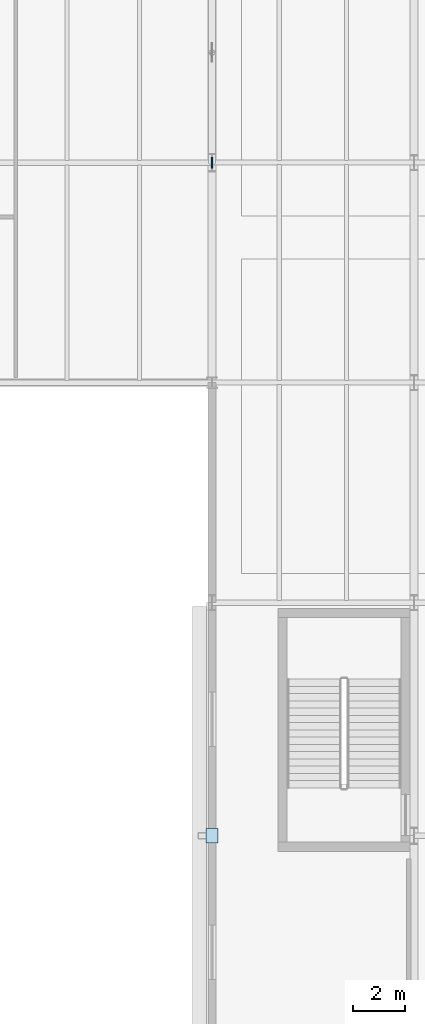
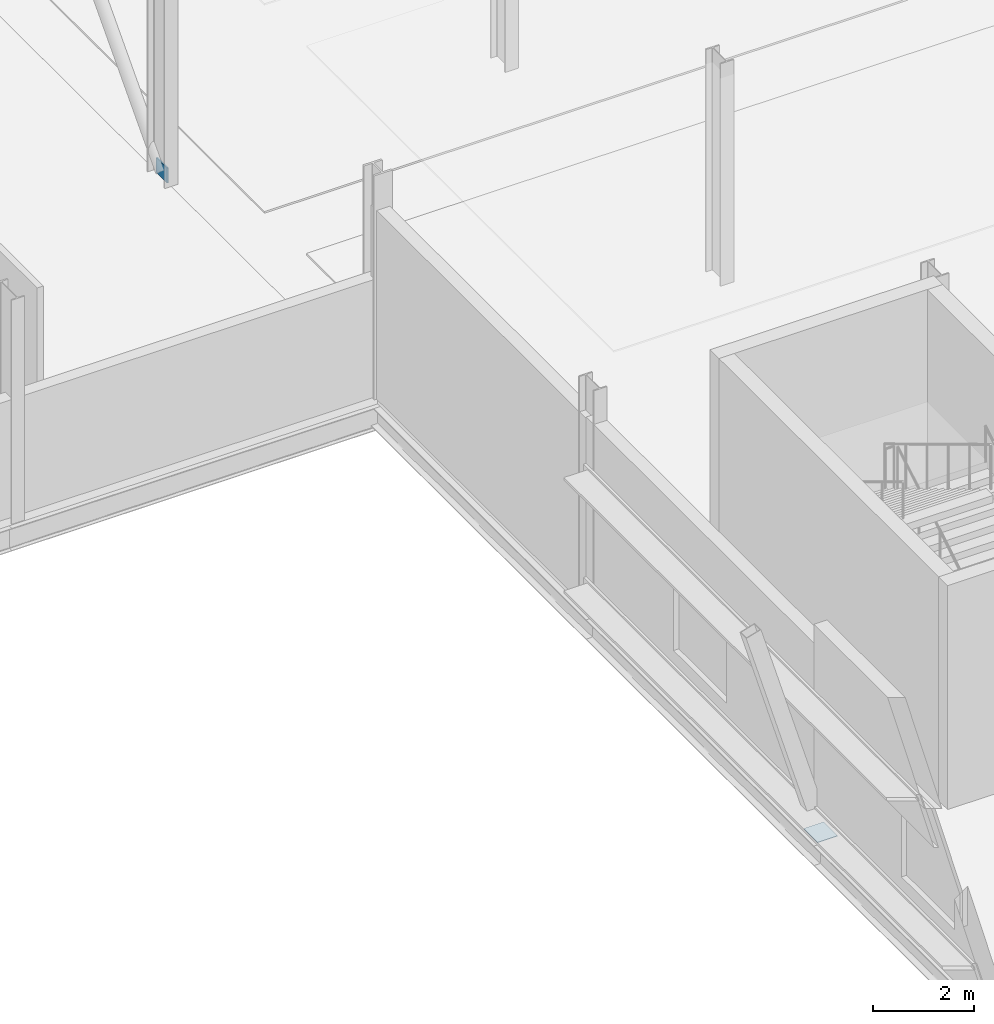
# One storey, part 46 of 78: 2 plates.
"""IFC4 building model written with IfcOpenShell, lengths in metres."""

from ifc_helpers import new_model, si_unit, direction, frame, origin, origin_2d, place, context, subcontext, project, spatial, rectangle, extrude, material, layer, layer_set, type_object, element, save


model = new_model("IFC4")

# Units and contexts
model_context = context("Model", 3, precision=1e-05, world=origin(), true_north=direction((0.0, 1.0)))
body_context = subcontext(model_context, "Body", "Model", "MODEL_VIEW")
ifc_project = project(units=[si_unit("LENGTHUNIT", "METRE"), si_unit("AREAUNIT", "SQUARE_METRE"), si_unit("VOLUMEUNIT", "CUBIC_METRE"), si_unit("PLANEANGLEUNIT", "RADIAN"), si_unit("MASSUNIT", "GRAM", prefix="KILO")], contexts=[model_context])

# Site, building, storey
site_placement = place(None, origin())
site = spatial("IfcSite", under=ifc_project, at=site_placement, CompositionType="ELEMENT")
building_placement = place(site_placement, origin())
building = spatial("IfcBuilding", under=site, at=building_placement, Name="Sefraquen Railside Congress Hotel", CompositionType="ELEMENT")
storey_placement = place(building_placement, frame((0.0, 0.0, 6.0)))
storey = spatial("IfcBuildingStorey", under=building, at=storey_placement, Name="L01", CompositionType="ELEMENT", Elevation=6.0)

# Plates
ifc_material = material(Name="Steel S355J2", Category="steel")
ifc_layer_1 = layer(ifc_material, 0.050048828125)
ifc_layer_set_1 = layer_set([ifc_layer_1], Name="Steel S355J2")
plate_type_1 = type_object("IfcPlateType", Name="TP-BPL-01", PredefinedType="SHEET", material=ifc_layer_set_1)
plate_1_placement = place(storey_placement, frame((25.199951171875, 45.0, -0.02783203125), z_axis=(0.0, 0.0, 1.0), x_axis=(1.0, 0.0, 0.0)))
element("IfcPlate", 1, at=plate_1_placement, inside=storey, type_object=plate_type_1, Name="Inclined column base knuckle plate W-F", PredefinedType="SHEET", context=body_context, shape_type="SweptSolid", body=[
    extrude(rectangle(XDim=0.449951171875, YDim=0.550048828125, at=origin_2d()), origin(), (0.0, 0.0, 1.0), 0.011962890625),
])
ifc_layer_2 = layer(ifc_material, 0.0400390625)
ifc_layer_set_2 = layer_set([ifc_layer_2], Name="Steel S355J2")
plate_type_2 = type_object("IfcPlateType", Name="TP-GUS-02", PredefinedType="SHEET", material=ifc_layer_set_2)
plate_2_placement = place(storey_placement, frame((25.199951171875, 71.0, 0.0), z_axis=(0.0, 0.0, 1.0), x_axis=(0.0, 1.0, 0.0)))
element("IfcPlate", 2, at=plate_2_placement, inside=storey, type_object=plate_type_2, Name="Chevron braced-frame base gusset plate BF2-L L01", PredefinedType="SHEET", context=body_context, shape_type="SweptSolid", body=[
    extrude(rectangle(XDim=0.419921875, YDim=0.0400390625, at=origin_2d()), origin(), (0.0, 0.0, 1.0), 0.360107421875),
])

save(model, "model.ifc")
